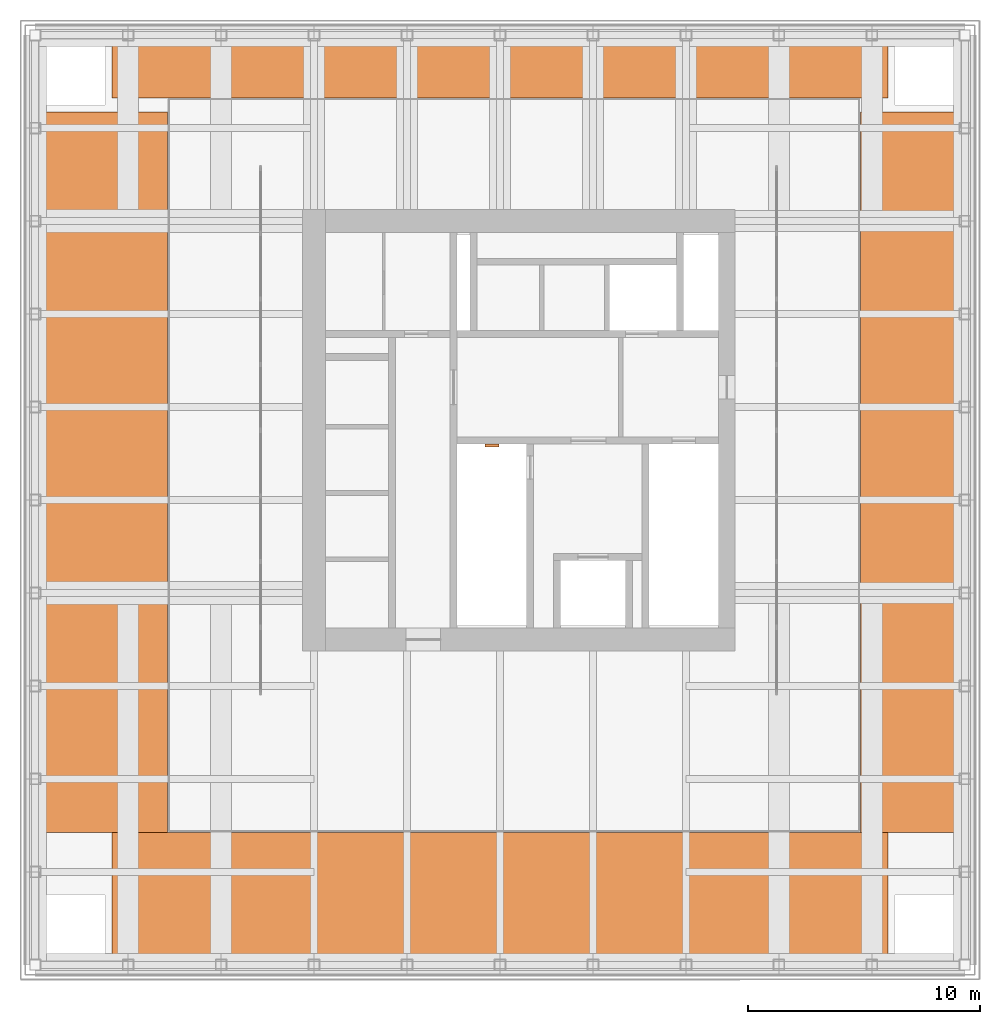
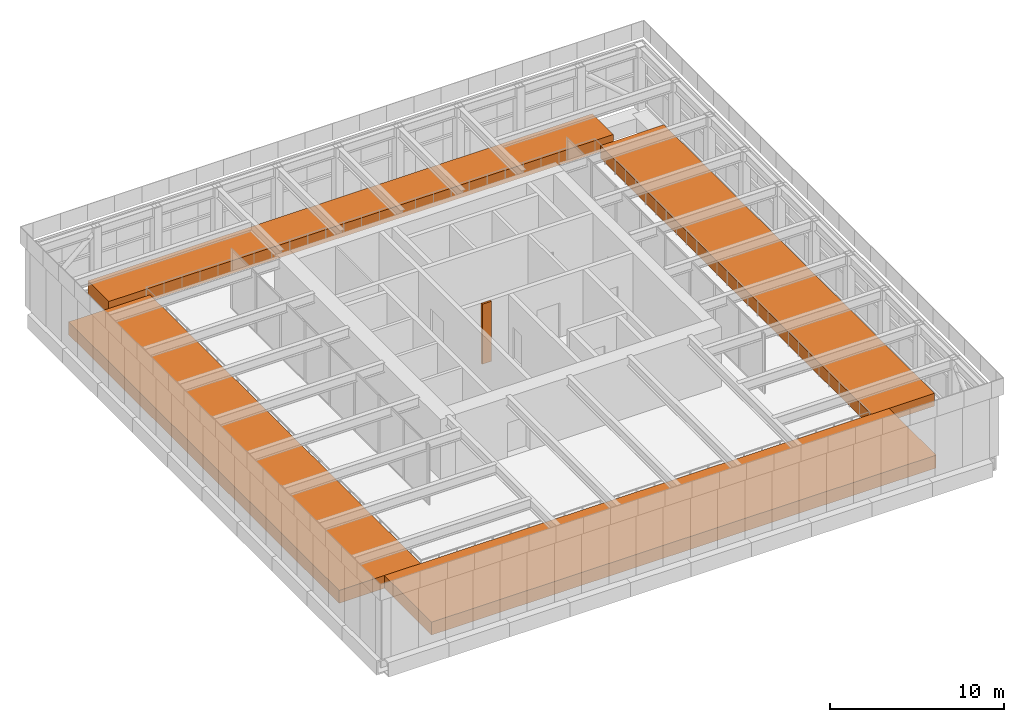
# One storey, part 11 of 11: 5 proxies.
"""IFC4 building model written with IfcOpenShell, lengths in metres."""

from ifc_helpers import new_model, si_unit, direction, frame, origin, origin_2d, place, context, subcontext, project, spatial, rectangle, extrude, element, save


model = new_model("IFC4")

# Units and contexts
model_context = context("Model", 3, precision=1e-05, world=origin(), true_north=direction((0.0, 1.0)))
body_context = subcontext(model_context, "Body", "Model", "MODEL_VIEW")
ifc_project = project(units=[si_unit("LENGTHUNIT", "METRE"), si_unit("AREAUNIT", "SQUARE_METRE"), si_unit("VOLUMEUNIT", "CUBIC_METRE"), si_unit("PLANEANGLEUNIT", "RADIAN"), si_unit("MASSUNIT", "GRAM", prefix="KILO")], contexts=[model_context])

# Site, building, storey
site_placement = place(None, origin())
site = spatial("IfcSite", under=ifc_project, at=site_placement, CompositionType="ELEMENT")
building_placement = place(site_placement, origin())
building = spatial("IfcBuilding", under=site, at=building_placement, Name="Rimbunsela Tower", CompositionType="ELEMENT")
storey_placement = place(building_placement, frame((0.0, 0.0, 304.199951171875)))
storey = spatial("IfcBuildingStorey", under=building, at=storey_placement, Name="RF", CompositionType="ELEMENT", Elevation=304.199951171875)

# Proxies
proxy_1_placement = place(storey_placement, frame((26.0, 7.0, 0.0), z_axis=(0.0, 0.0, 1.0), x_axis=(1.0, 0.0, 0.0)))
element("IfcBuildingElementProxy", 1, at=proxy_1_placement, inside=storey, Name="Sky garden planting bed", ObjectType="PLANTER", PredefinedType="USERDEFINED", context=body_context, shape_type="SweptSolid", body=[
    extrude(rectangle(XDim=33.39990234375, YDim=5.39990234375, at=origin_2d()), origin(), (0.0, 0.0, 1.0), 0.89990234375),
])
proxy_2_placement = place(storey_placement, frame((26.0, 42.5, 0.0), z_axis=(0.0, 0.0, 1.0), x_axis=(1.0, 0.0, 0.0)))
element("IfcBuildingElementProxy", 2, at=proxy_2_placement, inside=storey, Name="Sky garden planting bed", ObjectType="PLANTER", PredefinedType="USERDEFINED", context=body_context, shape_type="SweptSolid", body=[
    extrude(rectangle(XDim=33.39990234375, YDim=2.39990234375, at=origin_2d()), origin(), (0.0, 0.0, 1.0), 0.89990234375),
])
proxy_3_placement = place(storey_placement, frame((9.0, 25.199951171875, 0.0), z_axis=(0.0, 0.0, 1.0), x_axis=(1.0, 0.0, 0.0)))
element("IfcBuildingElementProxy", 3, at=proxy_3_placement, inside=storey, Name="Sky garden planting bed", ObjectType="PLANTER", PredefinedType="USERDEFINED", context=body_context, shape_type="SweptSolid", body=[
    extrude(rectangle(XDim=5.39990234375, YDim=31.0, at=origin_2d()), origin(), (0.0, 0.0, 1.0), 0.89990234375),
])
proxy_4_placement = place(storey_placement, frame((43.60009765625, 25.199951171875, 0.0), z_axis=(0.0, 0.0, 1.0), x_axis=(1.0, 0.0, 0.0)))
element("IfcBuildingElementProxy", 4, at=proxy_4_placement, inside=storey, Name="Sky garden planting bed", ObjectType="PLANTER", PredefinedType="USERDEFINED", context=body_context, shape_type="SweptSolid", body=[
    extrude(rectangle(XDim=4.199951171875, YDim=31.0, at=origin_2d()), origin(), (0.0, 0.0, 1.0), 0.89990234375),
])
proxy_5_placement = place(storey_placement, frame((25.64990234375, 26.340087890625, 0.0), z_axis=(0.0, 0.0, 1.0), x_axis=(1.0, 0.0, 0.0)))
element("IfcBuildingElementProxy", 5, at=proxy_5_placement, inside=storey, Name="Maintenance access ladder", ObjectType="LADDER", PredefinedType="USERDEFINED", context=body_context, shape_type="SweptSolid", body=[
    extrude(rectangle(XDim=0.60009765625, YDim=0.1201171875, at=origin_2d()), origin(), (0.0, 0.0, 1.0), 4.199951171875),
])

save(model, "model.ifc")
